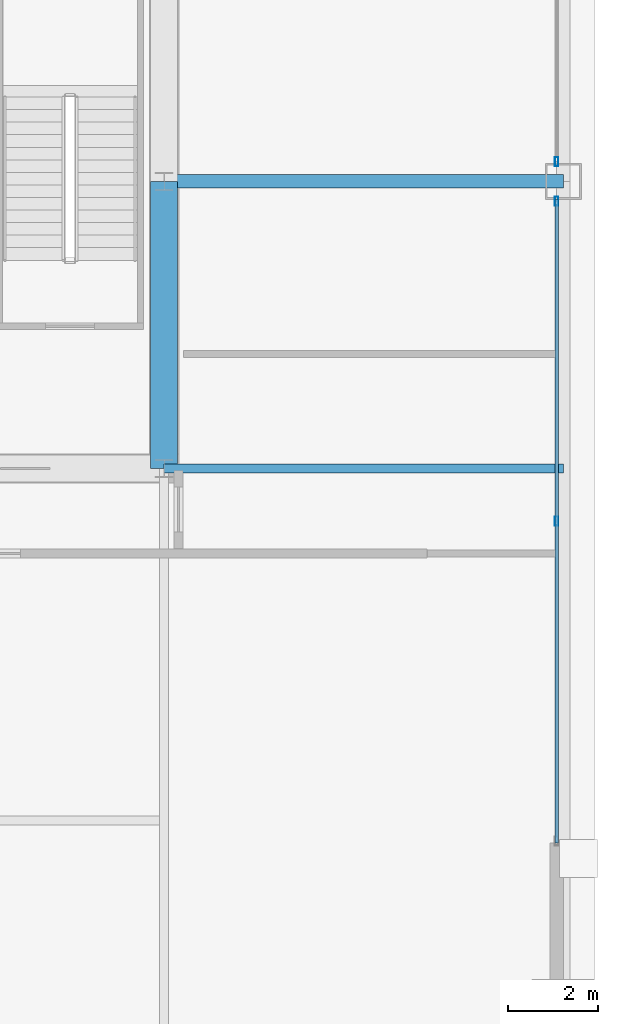
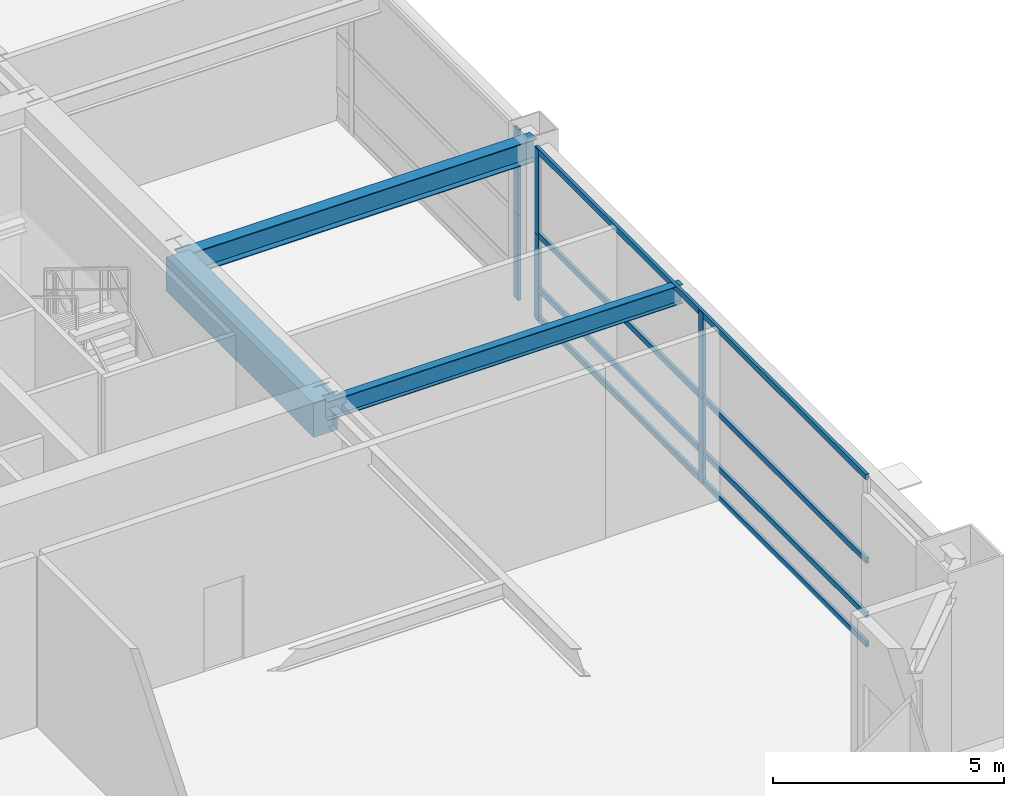
# One storey, part 18 of 34: 10 members, 3 beams, 2 elements without a shape of their own.
"""IFC4 building model written with IfcOpenShell, lengths in metres."""

from ifc_helpers import new_model, si_unit, direction, frame, origin, origin_2d, place, context, subcontext, project, spatial, rectangle, hollow_rectangle, i_section, extrude, source, transform, mapped, material, layer, layer_set, material_profile, profile_set, type_object, element, aggregate, save


model = new_model("IFC4")

# Units and contexts
model_context = context("Model", 3, precision=1e-05, world=origin(), true_north=direction((0.0, 1.0)))
body_context = subcontext(model_context, "Body", "Model", "MODEL_VIEW")
ifc_project = project(units=[si_unit("LENGTHUNIT", "METRE"), si_unit("AREAUNIT", "SQUARE_METRE"), si_unit("VOLUMEUNIT", "CUBIC_METRE"), si_unit("PLANEANGLEUNIT", "RADIAN"), si_unit("MASSUNIT", "GRAM", prefix="KILO"), si_unit("THERMODYNAMICTEMPERATUREUNIT", "KELVIN"), si_unit("POWERUNIT", "WATT")], contexts=[model_context])

# Site, building, storey
site_placement = place(None, origin())
site = spatial("IfcSite", under=ifc_project, at=site_placement, CompositionType="ELEMENT")
building_placement = place(site_placement, origin())
building = spatial("IfcBuilding", under=site, at=building_placement, Name="Yuzanri Waterfront Tower", CompositionType="ELEMENT")
storey_placement = place(building_placement, frame((0.0, 0.0, 171.60009765625)))
storey = spatial("IfcBuildingStorey", under=building, at=storey_placement, Name="L45", CompositionType="ELEMENT", Elevation=171.60009765625)

# Beams
ifc_material_1 = material(Name="Concrete C60", Category="concrete")
ifc_material_profile_1 = material_profile(ifc_material_1, rectangle(XDim=0.60009765625, YDim=0.89990234375, at=origin_2d()), Name="RC 600x900")
ifc_profile_set_1 = profile_set([ifc_material_profile_1], Name="Concrete C60")
beam_type_1 = type_object("IfcBeamType", Name="Core Coupling Lintel Concrete C60 600x900", PredefinedType="LINTEL", material=ifc_profile_set_1)
shared_shape_1 = source(origin(), body_context, "Body", "SweptSolid", [
    extrude(rectangle(XDim=0.60009765625, YDim=0.89990234375, at=origin_2d()), origin(), (0.0, 0.0, 1.0), 6.400146484375),
])
beam_1_placement = place(storey_placement, frame((50.199951171875, 19.39990234375, 4.06982421875), z_axis=(0.0, 1.0, 0.0), x_axis=(-1.0, 0.0, 0.0)))
element("IfcBeam", 1, at=beam_1_placement, inside=storey, type_object=beam_type_1, Name="L45 Core Tie Beam CE1", PredefinedType="LINTEL", context=body_context, shape_type="MappedRepresentation", body=[
    mapped(shared_shape_1, transform((0.0, 0.0, 0.0), scale=1.0)),
])
ifc_material_2 = material(Name="Steel Q355B", Category="steel")
ifc_material_profile_2 = material_profile(ifc_material_2, i_section(OverallWidth=0.300048828125, OverallDepth=0.587890625, WebThickness=0.011962890625, FlangeThickness=0.02001953125, at=origin_2d()), Name="HM 588x300x12x20")
ifc_profile_set_2 = profile_set([ifc_material_profile_2], Name="Steel Q355B")
beam_type_2 = type_object("IfcBeamType", Name="Primary Floor Girder Q355B HM 588x300", PredefinedType="BEAM", material=ifc_profile_set_2)
shared_shape_2 = source(origin(), body_context, "Body", "SweptSolid", [
    extrude(i_section(OverallWidth=0.300048828125, OverallDepth=0.587890625, WebThickness=0.011962890625, FlangeThickness=0.02001953125, at=origin_2d()), origin(), (0.0, 0.0, 1.0), 8.900146484375),
])
beam_2_placement = place(storey_placement, frame((50.199951171875, 25.800048828125, 4.225830078125), z_axis=(1.0, 0.0, 0.0), x_axis=(0.0, 1.0, 0.0)))
element("IfcBeam", 2, at=beam_2_placement, inside=storey, type_object=beam_type_2, Name="L45 East Grid Girder", PredefinedType="BEAM", context=body_context, shape_type="MappedRepresentation", body=[
    mapped(shared_shape_2, transform((0.0, 0.0, 0.0), scale=1.0)),
])
ifc_material_3 = material(Name="Steel Q355B", Category="steel")
ifc_material_profile_3 = material_profile(ifc_material_3, i_section(OverallWidth=0.199951171875, OverallDepth=0.5, WebThickness=0.010009765625, FlangeThickness=0.01611328125, at=origin_2d()), Name="HN 500x200x10x16")
ifc_profile_set_3 = profile_set([ifc_material_profile_3], Name="Steel Q355B")
beam_type_3 = type_object("IfcBeamType", Name="Secondary Floor Beam Q355B HN 500x200", PredefinedType="BEAM", material=ifc_profile_set_3)
shared_shape_3 = source(origin(), body_context, "Body", "SweptSolid", [
    extrude(i_section(OverallWidth=0.199951171875, OverallDepth=0.5, WebThickness=0.010009765625, FlangeThickness=0.01611328125, at=origin_2d()), origin(), (0.0, 0.0, 1.0), 8.900146484375),
])
beam_3_placement = place(storey_placement, frame((50.199951171875, 19.39990234375, 4.27001953125), z_axis=(1.0, 0.0, 0.0), x_axis=(0.0, 1.0, 0.0)))
element("IfcBeam", 3, at=beam_3_placement, inside=storey, type_object=beam_type_3, Name="L45 East-South Core Line Beam", PredefinedType="BEAM", context=body_context, shape_type="MappedRepresentation", body=[
    mapped(shared_shape_3, transform((0.0, 0.0, 0.0), scale=1.0)),
])

# Curtain wall, members
ifc_material_4 = material(Name="Anodized Architectural Bronze", Category="metal")
ifc_layer = layer(ifc_material_4, 0.159912109375)
ifc_layer_set = layer_set([ifc_layer], Name="Anodized Architectural Bronze")
curtain_wall_type = type_object("IfcCurtainWallType", Name="Anodized Bronze Sky-Lobby Triple-Glazed Feature Curtain Wall 7500", PredefinedType="NOTDEFINED", material=ifc_layer_set)
curtain_wall_1_placement = place(storey_placement, origin())
curtain_wall_1 = element("IfcCurtainWall", 4, at=curtain_wall_1_placement, inside=storey, type_object=curtain_wall_type, Name="L45 Curtain Wall CW-L45-EL", PredefinedType="NOTDEFINED")
ifc_material_5 = material(Name="Anodized Architectural Bronze", Category="metal")
ifc_material_profile_4 = material_profile(ifc_material_5, hollow_rectangle(XDim=0.074951171875, YDim=0.199951171875, WallThickness=0.00390625, at=origin_2d()), Name="CWM 75x200")
ifc_profile_set_4 = profile_set([ifc_material_profile_4], Name="Anodized Architectural Bronze")
member_type_1 = type_object("IfcMemberType", Name="Anodized Bronze Primary Curtain-Wall Mullion 75x200", PredefinedType="MULLION", material=ifc_profile_set_4)
shared_shape_4 = source(origin(), body_context, "Body", "SweptSolid", [
    extrude(hollow_rectangle(XDim=0.074951171875, YDim=0.199951171875, WallThickness=0.00390625, at=origin_2d()), origin(), (0.0, 0.0, 1.0), 2.258056640625),
])
member_1_placement = place(storey_placement, frame((58.949951171875, 18.22509765625, 2.261962890625), z_axis=(0.0, 0.0, 1.0), x_axis=(1.0, 0.0, 0.0)))
member_1 = element("IfcMember", 5, at=member_1_placement, type_object=member_type_1, Name="CW-L45-EL Upper Mullion 01", PredefinedType="MULLION", context=body_context, shape_type="MappedRepresentation", body=[
    mapped(shared_shape_4, transform((0.0, 0.0, 0.0), scale=1.0)),
])
member_2_placement = place(storey_placement, frame((58.949951171875, 25.360107421875, 2.261962890625), z_axis=(0.0, 0.0, 1.0), x_axis=(1.0, 0.0, 0.0)))
member_2 = element("IfcMember", 6, at=member_2_placement, type_object=member_type_1, Name="CW-L45-EL Upper Mullion 02", PredefinedType="MULLION", context=body_context, shape_type="MappedRepresentation", body=[
    mapped(shared_shape_4, transform((0.0, 0.0, 0.0), scale=1.0)),
])

# Curtain wall, member
curtain_wall_2_placement = place(storey_placement, origin())
curtain_wall_2 = element("IfcCurtainWall", 7, at=curtain_wall_2_placement, inside=storey, type_object=curtain_wall_type, Name="L45 Curtain Wall CW-L45-ER", PredefinedType="NOTDEFINED")
member_3_placement = place(storey_placement, frame((58.949951171875, 26.239990234375, 2.261962890625), z_axis=(0.0, 0.0, 1.0), x_axis=(1.0, 0.0, 0.0)))
member_3 = element("IfcMember", 8, at=member_3_placement, type_object=member_type_1, Name="CW-L45-ER Upper Mullion 00", PredefinedType="MULLION", context=body_context, shape_type="MappedRepresentation", body=[
    mapped(shared_shape_4, transform((0.0, 0.0, 0.0), scale=1.0)),
])

# Member
shared_shape_5 = source(origin(), body_context, "Body", "SweptSolid", [
    extrude(hollow_rectangle(XDim=0.074951171875, YDim=0.199951171875, WallThickness=0.00390625, at=origin_2d()), origin(), (0.0, 0.0, 1.0), 2.2578125),
])
member_4_placement = place(storey_placement, frame((58.949951171875, 18.22509765625, 0.0), z_axis=(0.0, 0.0, 1.0), x_axis=(1.0, 0.0, 0.0)))
member_4 = element("IfcMember", 9, at=member_4_placement, type_object=member_type_1, Name="CW-L45-EL Lower Mullion 01", PredefinedType="MULLION", context=body_context, shape_type="MappedRepresentation", body=[
    mapped(shared_shape_5, transform((0.0, 0.0, 0.0), scale=1.0)),
])

member_5_placement = place(storey_placement, frame((58.949951171875, 25.360107421875, 0.0), z_axis=(0.0, 0.0, 1.0), x_axis=(1.0, 0.0, 0.0)))
member_5 = element("IfcMember", 10, at=member_5_placement, type_object=member_type_1, Name="CW-L45-EL Lower Mullion 02", PredefinedType="MULLION", context=body_context, shape_type="MappedRepresentation", body=[
    mapped(shared_shape_5, transform((0.0, 0.0, 0.0), scale=1.0)),
])

member_6_placement = place(storey_placement, frame((58.949951171875, 26.239990234375, 0.0), z_axis=(0.0, 0.0, 1.0), x_axis=(1.0, 0.0, 0.0)))
member_6 = element("IfcMember", 11, at=member_6_placement, type_object=member_type_1, Name="CW-L45-ER Lower Mullion 00", PredefinedType="MULLION", context=body_context, shape_type="MappedRepresentation", body=[
    mapped(shared_shape_5, transform((0.0, 0.0, 0.0), scale=1.0)),
])

aggregate(curtain_wall_2, [member_6, member_3])

ifc_material_6 = material(Name="Anodized Architectural Bronze", Category="metal")
ifc_material_profile_5 = material_profile(ifc_material_6, hollow_rectangle(XDim=0.074951171875, YDim=0.14990234375, WallThickness=0.00390625, at=origin_2d()), Name="CWT 75x150")
ifc_profile_set_5 = profile_set([ifc_material_profile_5], Name="Anodized Architectural Bronze")
member_type_2 = type_object("IfcMemberType", Name="Anodized Bronze Primary Curtain-Wall Transom 75x150", PredefinedType="USERDEFINED", material=ifc_profile_set_5)
shared_shape_6 = source(origin(), body_context, "Body", "SweptSolid", [
    extrude(hollow_rectangle(XDim=0.074951171875, YDim=0.14990234375, WallThickness=0.00390625, at=origin_2d()), origin(), (0.0, 0.0, 1.0), 14.349853515625),
])
member_7_placement = place(storey_placement, frame((58.949951171875, 11.050048828125, 0.0498046875), z_axis=(0.0, 1.0, 0.0), x_axis=(-1.0, 0.0, 0.0)))
member_7 = element("IfcMember", 12, at=member_7_placement, type_object=member_type_2, Name="CW-L45-EL Transom 1", ObjectType="TRANSOM", PredefinedType="USERDEFINED", context=body_context, shape_type="MappedRepresentation", body=[
    mapped(shared_shape_6, transform((0.0, 0.0, 0.0), scale=1.0)),
])

member_8_placement = place(storey_placement, frame((58.949951171875, 11.050048828125, 0.81982421875), z_axis=(0.0, 1.0, 0.0), x_axis=(-1.0, 0.0, 0.0)))
member_8 = element("IfcMember", 13, at=member_8_placement, type_object=member_type_2, Name="CW-L45-EL Transom 2", ObjectType="TRANSOM", PredefinedType="USERDEFINED", context=body_context, shape_type="MappedRepresentation", body=[
    mapped(shared_shape_6, transform((0.0, 0.0, 0.0), scale=1.0)),
])

member_9_placement = place(storey_placement, frame((58.949951171875, 11.050048828125, 2.260009765625), z_axis=(0.0, 1.0, 0.0), x_axis=(-1.0, 0.0, 0.0)))
member_9 = element("IfcMember", 14, at=member_9_placement, type_object=member_type_2, Name="CW-L45-EL Transom 3", ObjectType="TRANSOM", PredefinedType="USERDEFINED", context=body_context, shape_type="MappedRepresentation", body=[
    mapped(shared_shape_6, transform((0.0, 0.0, 0.0), scale=1.0)),
])

member_10_placement = place(storey_placement, frame((58.949951171875, 11.050048828125, 4.469970703125), z_axis=(0.0, 1.0, 0.0), x_axis=(-1.0, 0.0, 0.0)))
member_10 = element("IfcMember", 15, at=member_10_placement, type_object=member_type_2, Name="CW-L45-EL Transom 4", ObjectType="TRANSOM", PredefinedType="USERDEFINED", context=body_context, shape_type="MappedRepresentation", body=[
    mapped(shared_shape_6, transform((0.0, 0.0, 0.0), scale=1.0)),
])

aggregate(curtain_wall_1, [member_4, member_1, member_5, member_2, member_7, member_8, member_9, member_10])

save(model, "model.ifc")
